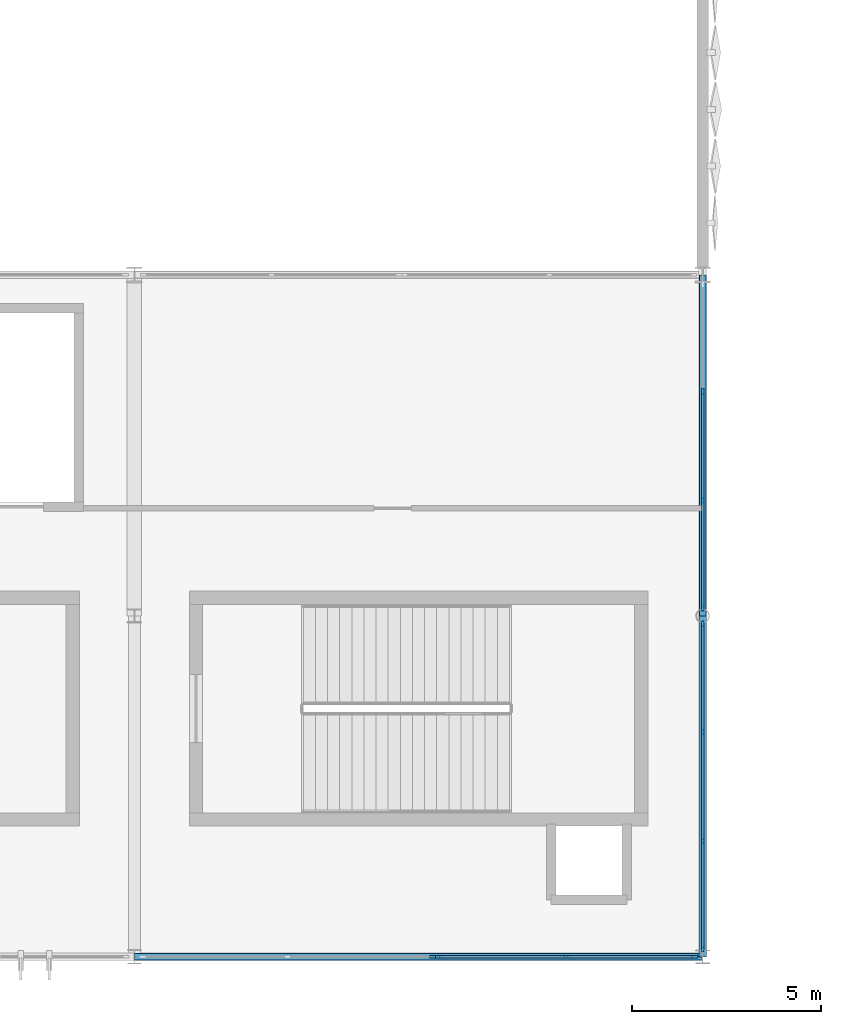
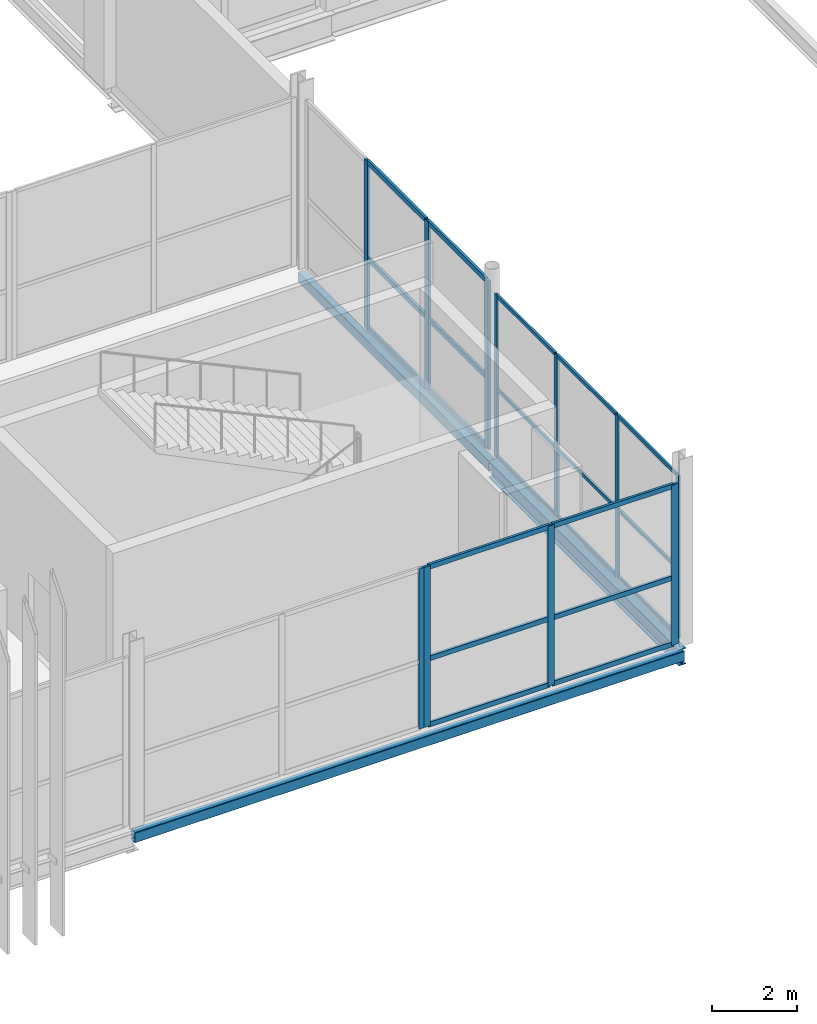
# One storey, part 28 of 119: 32 members, 3 beams, 4 elements without a shape of their own.
"""IFC4 building model written with IfcOpenShell, lengths in metres."""

from ifc_helpers import new_model, si_unit, direction, frame, origin, origin_2d, place, context, subcontext, project, spatial, rectangle, hollow_rectangle, i_section, extrude, material, layer, layer_set, material_profile, profile_set, type_object, element, aggregate, save


model = new_model("IFC4")

# Units and contexts
model_context = context("Model", 3, precision=1e-05, world=origin(), true_north=direction((0.0, 1.0)))
body_context = subcontext(model_context, "Body", "Model", "MODEL_VIEW")
ifc_project = project(units=[si_unit("LENGTHUNIT", "METRE"), si_unit("AREAUNIT", "SQUARE_METRE"), si_unit("VOLUMEUNIT", "CUBIC_METRE"), si_unit("PLANEANGLEUNIT", "RADIAN"), si_unit("MASSUNIT", "GRAM", prefix="KILO")], contexts=[model_context])

# Site, building, storey
site_placement = place(None, origin())
site = spatial("IfcSite", under=ifc_project, at=site_placement, CompositionType="ELEMENT")
building_placement = place(site_placement, origin())
building = spatial("IfcBuilding", under=site, at=building_placement, Name="Qamarlyn Nura Convention Centre", CompositionType="ELEMENT")
storey_placement = place(building_placement, frame((0.0, 0.0, 5.39990234375)))
storey = spatial("IfcBuildingStorey", under=building, at=storey_placement, Name="L01", CompositionType="ELEMENT", Elevation=5.39990234375)

# Beams
ifc_material_1 = material(Name="Steel ASTM A992", Category="steel")
ifc_material_profile_1 = material_profile(ifc_material_1, i_section(OverallWidth=0.193115234375, OverallDepth=0.466064453125, WebThickness=0.011474609375, FlangeThickness=0.01904296875, FilletRadius=0.012939453125, at=origin_2d()), Name="W460X97")
ifc_profile_set_1 = profile_set([ifc_material_profile_1], Name="Steel ASTM A992")
beam_type_1 = type_object("IfcBeamType", Name="BM-SPAN-460", PredefinedType="SPANDREL", material=ifc_profile_set_1)
beam_1_placement = place(storey_placement, frame((120.0, 0.0, -0.452880859375), z_axis=(0.0, 1.0, 0.0), x_axis=(-1.0, 0.0, 0.0)))
element("IfcBeam", 1, at=beam_1_placement, inside=storey, type_object=beam_type_1, Name="L01 girder 9 A-B", PredefinedType="SPANDREL", context=body_context, shape_type="SweptSolid", body=[
    extrude(i_section(OverallWidth=0.193115234375, OverallDepth=0.466064453125, WebThickness=0.011474609375, FlangeThickness=0.01904296875, FilletRadius=0.012939453125, at=origin_2d()), origin(), (0.0, 0.0, 1.0), 9.0),
])
ifc_material_2 = material(Name="Steel ASTM A500 Grade C", Category="steel")
ifc_material_profile_2 = material_profile(ifc_material_2, hollow_rectangle(XDim=0.199951171875, YDim=0.300048828125, WallThickness=0.012451171875, InnerFilletRadius=0.012451171875, OuterFilletRadius=0.02490234375, at=origin_2d()), Name="HSS300X200X12.5")
ifc_profile_set_2 = profile_set([ifc_material_profile_2], Name="Steel ASTM A500 Grade C")
beam_type_2 = type_object("IfcBeamType", Name="BM-SPAN-HSS", PredefinedType="SPANDREL", material=ifc_profile_set_2)
beam_2_placement = place(storey_placement, frame((105.0, 0.0, -0.369873046875), z_axis=(1.0, 0.0, 0.0), x_axis=(0.0, 1.0, 0.0)))
element("IfcBeam", 2, at=beam_2_placement, inside=storey, type_object=beam_type_2, Name="L01 girder A 8-9", PredefinedType="SPANDREL", context=body_context, shape_type="SweptSolid", body=[
    extrude(hollow_rectangle(XDim=0.199951171875, YDim=0.300048828125, WallThickness=0.012451171875, InnerFilletRadius=0.012451171875, OuterFilletRadius=0.02490234375, at=origin_2d()), origin(), (0.0, 0.0, 1.0), 15.0),
])
beam_3_placement = place(storey_placement, frame((120.0, 9.0, -0.369873046875), z_axis=(0.0, 1.0, 0.0), x_axis=(-1.0, 0.0, 0.0)))
element("IfcBeam", 3, at=beam_3_placement, inside=storey, type_object=beam_type_2, Name="L01 girder 9 B-C", PredefinedType="SPANDREL", context=body_context, shape_type="SweptSolid", body=[
    extrude(hollow_rectangle(XDim=0.199951171875, YDim=0.300048828125, WallThickness=0.012451171875, InnerFilletRadius=0.012451171875, OuterFilletRadius=0.02490234375, at=origin_2d()), origin(), (0.0, 0.0, 1.0), 9.0),
])

# Curtain wall, members
ifc_material_3 = material(Name="Double-silver low-E insulated glass", Category="glass")
ifc_layer_1 = layer(ifc_material_3, 0.179931640625, Name="CW-UNIT-15")
ifc_layer_set_1 = layer_set([ifc_layer_1], Name="Double-silver low-E insulated glass")
curtain_wall_type_1 = type_object("IfcCurtainWallType", Name="CW-UNIT-15", PredefinedType="NOTDEFINED", material=ifc_layer_set_1)
curtain_wall_1_placement = place(storey_placement, origin())
curtain_wall_1 = element("IfcCurtainWall", 4, at=curtain_wall_1_placement, inside=storey, type_object=curtain_wall_type_1, Name="L01 unitised curtain wall V1E-1-1", PredefinedType="NOTDEFINED")
ifc_material_4 = material(Name="Champagne-anodised marine aluminium", Category="aluminium")
ifc_material_profile_3 = material_profile(ifc_material_4, rectangle(XDim=0.06005859375, YDim=0.139892578125, at=origin_2d()), Name="ALU MULLION 60x140")
ifc_profile_set_3 = profile_set([ifc_material_profile_3], Name="Champagne-anodised marine aluminium")
member_type_1 = type_object("IfcMemberType", Name="CWM-140", PredefinedType="MULLION", material=ifc_profile_set_3)
member_1_placement = place(storey_placement, frame((120.0, 8.792236328125, 0.0), z_axis=(0.0, 0.0, 1.0), x_axis=(1.0, 0.0, 0.0)))
member_1 = element("IfcMember", 5, at=member_1_placement, type_object=member_type_1, Name="CW15 mullion 1", PredefinedType="MULLION", context=body_context, shape_type="SweptSolid", body=[
    extrude(rectangle(XDim=0.06005859375, YDim=0.139892578125, at=origin_2d()), origin(), (0.0, 0.0, 1.0), 4.69921875),
])
member_2_placement = place(storey_placement, frame((120.0, 5.94091796875, 0.0), z_axis=(0.0, 0.0, 1.0), x_axis=(1.0, 0.0, 0.0)))
member_2 = element("IfcMember", 6, at=member_2_placement, type_object=member_type_1, Name="CW15 mullion 2", PredefinedType="MULLION", context=body_context, shape_type="SweptSolid", body=[
    extrude(rectangle(XDim=0.06005859375, YDim=0.139892578125, at=origin_2d()), origin(), (0.0, 0.0, 1.0), 4.69921875),
])
member_3_placement = place(storey_placement, frame((120.0, 3.059326171875, 0.0), z_axis=(0.0, 0.0, 1.0), x_axis=(1.0, 0.0, 0.0)))
member_3 = element("IfcMember", 7, at=member_3_placement, type_object=member_type_1, Name="CW15 mullion 3", PredefinedType="MULLION", context=body_context, shape_type="SweptSolid", body=[
    extrude(rectangle(XDim=0.06005859375, YDim=0.139892578125, at=origin_2d()), origin(), (0.0, 0.0, 1.0), 4.69921875),
])
member_4_placement = place(storey_placement, frame((120.0, 0.2080078125, 0.0), z_axis=(0.0, 0.0, 1.0), x_axis=(1.0, 0.0, 0.0)))
member_4 = element("IfcMember", 8, at=member_4_placement, type_object=member_type_1, Name="CW15 mullion 4", PredefinedType="MULLION", context=body_context, shape_type="SweptSolid", body=[
    extrude(rectangle(XDim=0.06005859375, YDim=0.139892578125, at=origin_2d()), origin(), (0.0, 0.0, 1.0), 4.69921875),
])

# Curtain wall, member
ifc_layer_2 = layer(ifc_material_3, 0.179931640625, Name="CW-UNIT-10")
ifc_layer_set_2 = layer_set([ifc_layer_2], Name="Double-silver low-E insulated glass")
curtain_wall_type_2 = type_object("IfcCurtainWallType", Name="CW-UNIT-10", PredefinedType="NOTDEFINED", material=ifc_layer_set_2)
curtain_wall_2_placement = place(storey_placement, origin())
curtain_wall_2 = element("IfcCurtainWall", 9, at=curtain_wall_2_placement, inside=storey, type_object=curtain_wall_type_2, Name="L01 unitised curtain wall SF-S4-1B", PredefinedType="NOTDEFINED")
ifc_material_profile_4 = material_profile(ifc_material_4, rectangle(XDim=0.06494140625, YDim=0.159912109375, at=origin_2d()), Name="ALU MULLION 65x160")
ifc_profile_set_4 = profile_set([ifc_material_profile_4], Name="Champagne-anodised marine aluminium")
member_type_2 = type_object("IfcMemberType", Name="CWM-160", PredefinedType="MULLION", material=ifc_profile_set_4)
member_5_placement = place(storey_placement, frame((112.86767578125, 0.0, 0.0), z_axis=(0.0, 0.0, 1.0), x_axis=(0.0, -1.0, 0.0)))
member_5 = element("IfcMember", 10, at=member_5_placement, type_object=member_type_2, Name="CW10 mullion 1", PredefinedType="MULLION", context=body_context, shape_type="SweptSolid", body=[
    extrude(rectangle(XDim=0.06494140625, YDim=0.159912109375, at=origin_2d()), origin(), (0.0, 0.0, 1.0), 4.6259765625),
])
aggregate(curtain_wall_2, [member_5])

# Curtain wall, members
ifc_layer_3 = layer(ifc_material_3, 0.179931640625, Name="CW-UNIT-09")
ifc_layer_set_3 = layer_set([ifc_layer_3], Name="Double-silver low-E insulated glass")
curtain_wall_type_3 = type_object("IfcCurtainWallType", Name="CW-UNIT-09", PredefinedType="NOTDEFINED", material=ifc_layer_set_3)
curtain_wall_3_placement = place(storey_placement, origin())
curtain_wall_3 = element("IfcCurtainWall", 11, at=curtain_wall_3_placement, inside=storey, type_object=curtain_wall_type_3, Name="L01 unitised curtain wall SF-S4-1A", PredefinedType="NOTDEFINED")
ifc_material_profile_5 = material_profile(ifc_material_4, rectangle(XDim=0.070068359375, YDim=0.179931640625, at=origin_2d()), Name="ALU MULLION 70x180")
ifc_profile_set_5 = profile_set([ifc_material_profile_5], Name="Champagne-anodised marine aluminium")
member_type_3 = type_object("IfcMemberType", Name="CWM-180", PredefinedType="MULLION", material=ifc_profile_set_5)
member_6_placement = place(storey_placement, frame((119.780517578125, 0.0, 0.0), z_axis=(0.0, 0.0, 1.0), x_axis=(0.0, -1.0, 0.0)))
member_6 = element("IfcMember", 12, at=member_6_placement, type_object=member_type_3, Name="CW09 mullion 1", PredefinedType="MULLION", context=body_context, shape_type="SweptSolid", body=[
    extrude(rectangle(XDim=0.070068359375, YDim=0.179931640625, at=origin_2d()), origin(), (0.0, 0.0, 1.0), 4.6259765625),
])
member_7_placement = place(storey_placement, frame((116.397705078125, 0.0, 0.0), z_axis=(0.0, 0.0, 1.0), x_axis=(0.0, -1.0, 0.0)))
member_7 = element("IfcMember", 13, at=member_7_placement, type_object=member_type_3, Name="CW09 mullion 2", PredefinedType="MULLION", context=body_context, shape_type="SweptSolid", body=[
    extrude(rectangle(XDim=0.070068359375, YDim=0.179931640625, at=origin_2d()), origin(), (0.0, 0.0, 1.0), 4.6259765625),
])
member_8_placement = place(storey_placement, frame((113.01513671875, 0.0, 0.0), z_axis=(0.0, 0.0, 1.0), x_axis=(0.0, -1.0, 0.0)))
member_8 = element("IfcMember", 14, at=member_8_placement, type_object=member_type_3, Name="CW09 mullion 3", PredefinedType="MULLION", context=body_context, shape_type="SweptSolid", body=[
    extrude(rectangle(XDim=0.070068359375, YDim=0.179931640625, at=origin_2d()), origin(), (0.0, 0.0, 1.0), 4.6259765625),
])

ifc_layer_4 = layer(ifc_material_3, 0.179931640625, Name="CW-UNIT-16")
ifc_layer_set_4 = layer_set([ifc_layer_4], Name="Double-silver low-E insulated glass")
curtain_wall_type_4 = type_object("IfcCurtainWallType", Name="CW-UNIT-16", PredefinedType="NOTDEFINED", material=ifc_layer_set_4)
curtain_wall_4_placement = place(storey_placement, origin())
curtain_wall_4 = element("IfcCurtainWall", 15, at=curtain_wall_4_placement, inside=storey, type_object=curtain_wall_type_4, Name="L01 unitised curtain wall V1E-2-1", PredefinedType="NOTDEFINED")
member_9_placement = place(storey_placement, frame((120.0, 14.91748046875, 0.0), z_axis=(0.0, 0.0, 1.0), x_axis=(1.0, 0.0, 0.0)))
member_9 = element("IfcMember", 16, at=member_9_placement, type_object=member_type_3, Name="CW16 mullion 2", PredefinedType="MULLION", context=body_context, shape_type="SweptSolid", body=[
    extrude(rectangle(XDim=0.070068359375, YDim=0.179931640625, at=origin_2d()), origin(), (0.0, 0.0, 1.0), 4.864990234375),
])
member_10_placement = place(storey_placement, frame((120.0, 12.047607421875, 0.0), z_axis=(0.0, 0.0, 1.0), x_axis=(1.0, 0.0, 0.0)))
member_10 = element("IfcMember", 17, at=member_10_placement, type_object=member_type_3, Name="CW16 mullion 3", PredefinedType="MULLION", context=body_context, shape_type="SweptSolid", body=[
    extrude(rectangle(XDim=0.070068359375, YDim=0.179931640625, at=origin_2d()), origin(), (0.0, 0.0, 1.0), 4.864990234375),
])
member_11_placement = place(storey_placement, frame((120.0, 9.212890625, 0.0), z_axis=(0.0, 0.0, 1.0), x_axis=(1.0, 0.0, 0.0)))
member_11 = element("IfcMember", 18, at=member_11_placement, type_object=member_type_3, Name="CW16 mullion 4", PredefinedType="MULLION", context=body_context, shape_type="SweptSolid", body=[
    extrude(rectangle(XDim=0.070068359375, YDim=0.179931640625, at=origin_2d()), origin(), (0.0, 0.0, 1.0), 4.864990234375),
])

# Member
ifc_material_profile_6 = material_profile(ifc_material_4, rectangle(XDim=0.06005859375, YDim=0.10009765625, at=origin_2d()), Name="ALU TRANSOM 60x100")
ifc_profile_set_6 = profile_set([ifc_material_profile_6], Name="Champagne-anodised marine aluminium")
member_type_4 = type_object("IfcMemberType", Name="CWT-100", PredefinedType="USERDEFINED", material=ifc_profile_set_6)
member_12_placement = place(storey_placement, frame((120.0, 8.76220703125, 0.030029296875), z_axis=(0.0, -1.0, 0.0), x_axis=(1.0, 0.0, 0.0)))
member_12 = element("IfcMember", 19, at=member_12_placement, type_object=member_type_4, Name="CW15 transom 1.1", ObjectType="TRANSOM", PredefinedType="USERDEFINED", context=body_context, shape_type="SweptSolid", body=[
    extrude(rectangle(XDim=0.06005859375, YDim=0.10009765625, at=origin_2d()), origin(), (0.0, 0.0, 1.0), 2.79150390625),
])

member_13_placement = place(storey_placement, frame((120.0, 8.76220703125, 1.97412109375), z_axis=(0.0, -1.0, 0.0), x_axis=(1.0, 0.0, 0.0)))
member_13 = element("IfcMember", 20, at=member_13_placement, type_object=member_type_4, Name="CW15 transom 1.2", ObjectType="TRANSOM", PredefinedType="USERDEFINED", context=body_context, shape_type="SweptSolid", body=[
    extrude(rectangle(XDim=0.06005859375, YDim=0.10009765625, at=origin_2d()), origin(), (0.0, 0.0, 1.0), 2.79150390625),
])

member_14_placement = place(storey_placement, frame((120.0, 8.76220703125, 4.669189453125), z_axis=(0.0, -1.0, 0.0), x_axis=(1.0, 0.0, 0.0)))
member_14 = element("IfcMember", 21, at=member_14_placement, type_object=member_type_4, Name="CW15 transom 1.3", ObjectType="TRANSOM", PredefinedType="USERDEFINED", context=body_context, shape_type="SweptSolid", body=[
    extrude(rectangle(XDim=0.06005859375, YDim=0.10009765625, at=origin_2d()), origin(), (0.0, 0.0, 1.0), 2.79150390625),
])

member_15_placement = place(storey_placement, frame((120.0, 5.910888671875, 0.030029296875), z_axis=(0.0, -1.0, 0.0), x_axis=(1.0, 0.0, 0.0)))
member_15 = element("IfcMember", 22, at=member_15_placement, type_object=member_type_4, Name="CW15 transom 2.1", ObjectType="TRANSOM", PredefinedType="USERDEFINED", context=body_context, shape_type="SweptSolid", body=[
    extrude(rectangle(XDim=0.06005859375, YDim=0.10009765625, at=origin_2d()), origin(), (0.0, 0.0, 1.0), 2.821533203125),
])

member_16_placement = place(storey_placement, frame((120.0, 5.910888671875, 1.97412109375), z_axis=(0.0, -1.0, 0.0), x_axis=(1.0, 0.0, 0.0)))
member_16 = element("IfcMember", 23, at=member_16_placement, type_object=member_type_4, Name="CW15 transom 2.2", ObjectType="TRANSOM", PredefinedType="USERDEFINED", context=body_context, shape_type="SweptSolid", body=[
    extrude(rectangle(XDim=0.06005859375, YDim=0.10009765625, at=origin_2d()), origin(), (0.0, 0.0, 1.0), 2.821533203125),
])

member_17_placement = place(storey_placement, frame((120.0, 5.910888671875, 4.669189453125), z_axis=(0.0, -1.0, 0.0), x_axis=(1.0, 0.0, 0.0)))
member_17 = element("IfcMember", 24, at=member_17_placement, type_object=member_type_4, Name="CW15 transom 2.3", ObjectType="TRANSOM", PredefinedType="USERDEFINED", context=body_context, shape_type="SweptSolid", body=[
    extrude(rectangle(XDim=0.06005859375, YDim=0.10009765625, at=origin_2d()), origin(), (0.0, 0.0, 1.0), 2.821533203125),
])

member_18_placement = place(storey_placement, frame((120.0, 3.029296875, 0.030029296875), z_axis=(0.0, -1.0, 0.0), x_axis=(1.0, 0.0, 0.0)))
member_18 = element("IfcMember", 25, at=member_18_placement, type_object=member_type_4, Name="CW15 transom 3.1", ObjectType="TRANSOM", PredefinedType="USERDEFINED", context=body_context, shape_type="SweptSolid", body=[
    extrude(rectangle(XDim=0.06005859375, YDim=0.10009765625, at=origin_2d()), origin(), (0.0, 0.0, 1.0), 2.791259765625),
])

member_19_placement = place(storey_placement, frame((120.0, 3.029296875, 1.97412109375), z_axis=(0.0, -1.0, 0.0), x_axis=(1.0, 0.0, 0.0)))
member_19 = element("IfcMember", 26, at=member_19_placement, type_object=member_type_4, Name="CW15 transom 3.2", ObjectType="TRANSOM", PredefinedType="USERDEFINED", context=body_context, shape_type="SweptSolid", body=[
    extrude(rectangle(XDim=0.06005859375, YDim=0.10009765625, at=origin_2d()), origin(), (0.0, 0.0, 1.0), 2.791259765625),
])

member_20_placement = place(storey_placement, frame((120.0, 3.029296875, 4.669189453125), z_axis=(0.0, -1.0, 0.0), x_axis=(1.0, 0.0, 0.0)))
member_20 = element("IfcMember", 27, at=member_20_placement, type_object=member_type_4, Name="CW15 transom 3.3", ObjectType="TRANSOM", PredefinedType="USERDEFINED", context=body_context, shape_type="SweptSolid", body=[
    extrude(rectangle(XDim=0.06005859375, YDim=0.10009765625, at=origin_2d()), origin(), (0.0, 0.0, 1.0), 2.791259765625),
])

aggregate(curtain_wall_1, [member_1, member_2, member_3, member_4, member_12, member_13, member_14, member_15, member_16, member_17, member_18, member_19, member_20])

ifc_material_profile_7 = material_profile(ifc_material_4, rectangle(XDim=0.070068359375, YDim=0.139892578125, at=origin_2d()), Name="ALU TRANSOM 70x140")
ifc_profile_set_7 = profile_set([ifc_material_profile_7], Name="Champagne-anodised marine aluminium")
member_type_5 = type_object("IfcMemberType", Name="CWT-140", PredefinedType="USERDEFINED", material=ifc_profile_set_7)
member_21_placement = place(storey_placement, frame((119.74560546875, 0.0, 0.03515625), z_axis=(-1.0, 0.0, 0.0), x_axis=(0.0, -1.0, 0.0)))
member_21 = element("IfcMember", 28, at=member_21_placement, type_object=member_type_5, Name="CW09 transom 1.1", ObjectType="TRANSOM", PredefinedType="USERDEFINED", context=body_context, shape_type="SweptSolid", body=[
    extrude(rectangle(XDim=0.070068359375, YDim=0.139892578125, at=origin_2d()), origin(), (0.0, 0.0, 1.0), 3.312744140625),
])

member_22_placement = place(storey_placement, frame((119.74560546875, 0.0, 1.943115234375), z_axis=(-1.0, 0.0, 0.0), x_axis=(0.0, -1.0, 0.0)))
member_22 = element("IfcMember", 29, at=member_22_placement, type_object=member_type_5, Name="CW09 transom 1.2", ObjectType="TRANSOM", PredefinedType="USERDEFINED", context=body_context, shape_type="SweptSolid", body=[
    extrude(rectangle(XDim=0.070068359375, YDim=0.139892578125, at=origin_2d()), origin(), (0.0, 0.0, 1.0), 3.312744140625),
])

member_23_placement = place(storey_placement, frame((119.74560546875, 0.0, 4.591064453125), z_axis=(-1.0, 0.0, 0.0), x_axis=(0.0, -1.0, 0.0)))
member_23 = element("IfcMember", 30, at=member_23_placement, type_object=member_type_5, Name="CW09 transom 1.3", ObjectType="TRANSOM", PredefinedType="USERDEFINED", context=body_context, shape_type="SweptSolid", body=[
    extrude(rectangle(XDim=0.070068359375, YDim=0.139892578125, at=origin_2d()), origin(), (0.0, 0.0, 1.0), 3.312744140625),
])

member_24_placement = place(storey_placement, frame((116.36279296875, 0.0, 0.03515625), z_axis=(-1.0, 0.0, 0.0), x_axis=(0.0, -1.0, 0.0)))
member_24 = element("IfcMember", 31, at=member_24_placement, type_object=member_type_5, Name="CW09 transom 2.1", ObjectType="TRANSOM", PredefinedType="USERDEFINED", context=body_context, shape_type="SweptSolid", body=[
    extrude(rectangle(XDim=0.070068359375, YDim=0.139892578125, at=origin_2d()), origin(), (0.0, 0.0, 1.0), 3.312744140625),
])

member_25_placement = place(storey_placement, frame((116.36279296875, 0.0, 1.943115234375), z_axis=(-1.0, 0.0, 0.0), x_axis=(0.0, -1.0, 0.0)))
member_25 = element("IfcMember", 32, at=member_25_placement, type_object=member_type_5, Name="CW09 transom 2.2", ObjectType="TRANSOM", PredefinedType="USERDEFINED", context=body_context, shape_type="SweptSolid", body=[
    extrude(rectangle(XDim=0.070068359375, YDim=0.139892578125, at=origin_2d()), origin(), (0.0, 0.0, 1.0), 3.312744140625),
])

member_26_placement = place(storey_placement, frame((116.36279296875, 0.0, 4.591064453125), z_axis=(-1.0, 0.0, 0.0), x_axis=(0.0, -1.0, 0.0)))
member_26 = element("IfcMember", 33, at=member_26_placement, type_object=member_type_5, Name="CW09 transom 2.3", ObjectType="TRANSOM", PredefinedType="USERDEFINED", context=body_context, shape_type="SweptSolid", body=[
    extrude(rectangle(XDim=0.070068359375, YDim=0.139892578125, at=origin_2d()), origin(), (0.0, 0.0, 1.0), 3.312744140625),
])

aggregate(curtain_wall_3, [member_6, member_7, member_8, member_21, member_22, member_23, member_24, member_25, member_26])

member_27_placement = place(storey_placement, frame((120.0, 14.882568359375, 0.03515625), z_axis=(0.0, -1.0, 0.0), x_axis=(1.0, 0.0, 0.0)))
member_27 = element("IfcMember", 34, at=member_27_placement, type_object=member_type_5, Name="CW16 transom 2.1", ObjectType="TRANSOM", PredefinedType="USERDEFINED", context=body_context, shape_type="SweptSolid", body=[
    extrude(rectangle(XDim=0.070068359375, YDim=0.139892578125, at=origin_2d()), origin(), (0.0, 0.0, 1.0), 2.7998046875),
])

member_28_placement = place(storey_placement, frame((120.0, 14.882568359375, 2.043212890625), z_axis=(0.0, -1.0, 0.0), x_axis=(1.0, 0.0, 0.0)))
member_28 = element("IfcMember", 35, at=member_28_placement, type_object=member_type_5, Name="CW16 transom 2.2", ObjectType="TRANSOM", PredefinedType="USERDEFINED", context=body_context, shape_type="SweptSolid", body=[
    extrude(rectangle(XDim=0.070068359375, YDim=0.139892578125, at=origin_2d()), origin(), (0.0, 0.0, 1.0), 2.7998046875),
])

member_29_placement = place(storey_placement, frame((120.0, 14.882568359375, 4.830078125), z_axis=(0.0, -1.0, 0.0), x_axis=(1.0, 0.0, 0.0)))
member_29 = element("IfcMember", 36, at=member_29_placement, type_object=member_type_5, Name="CW16 transom 2.3", ObjectType="TRANSOM", PredefinedType="USERDEFINED", context=body_context, shape_type="SweptSolid", body=[
    extrude(rectangle(XDim=0.070068359375, YDim=0.139892578125, at=origin_2d()), origin(), (0.0, 0.0, 1.0), 2.7998046875),
])

member_30_placement = place(storey_placement, frame((120.0, 12.0126953125, 0.03515625), z_axis=(0.0, -1.0, 0.0), x_axis=(1.0, 0.0, 0.0)))
member_30 = element("IfcMember", 37, at=member_30_placement, type_object=member_type_5, Name="CW16 transom 3.1", ObjectType="TRANSOM", PredefinedType="USERDEFINED", context=body_context, shape_type="SweptSolid", body=[
    extrude(rectangle(XDim=0.070068359375, YDim=0.139892578125, at=origin_2d()), origin(), (0.0, 0.0, 1.0), 2.764892578125),
])

member_31_placement = place(storey_placement, frame((120.0, 12.0126953125, 2.043212890625), z_axis=(0.0, -1.0, 0.0), x_axis=(1.0, 0.0, 0.0)))
member_31 = element("IfcMember", 38, at=member_31_placement, type_object=member_type_5, Name="CW16 transom 3.2", ObjectType="TRANSOM", PredefinedType="USERDEFINED", context=body_context, shape_type="SweptSolid", body=[
    extrude(rectangle(XDim=0.070068359375, YDim=0.139892578125, at=origin_2d()), origin(), (0.0, 0.0, 1.0), 2.764892578125),
])

member_32_placement = place(storey_placement, frame((120.0, 12.0126953125, 4.830078125), z_axis=(0.0, -1.0, 0.0), x_axis=(1.0, 0.0, 0.0)))
member_32 = element("IfcMember", 39, at=member_32_placement, type_object=member_type_5, Name="CW16 transom 3.3", ObjectType="TRANSOM", PredefinedType="USERDEFINED", context=body_context, shape_type="SweptSolid", body=[
    extrude(rectangle(XDim=0.070068359375, YDim=0.139892578125, at=origin_2d()), origin(), (0.0, 0.0, 1.0), 2.764892578125),
])

aggregate(curtain_wall_4, [member_9, member_10, member_11, member_27, member_28, member_29, member_30, member_31, member_32])

save(model, "model.ifc")
